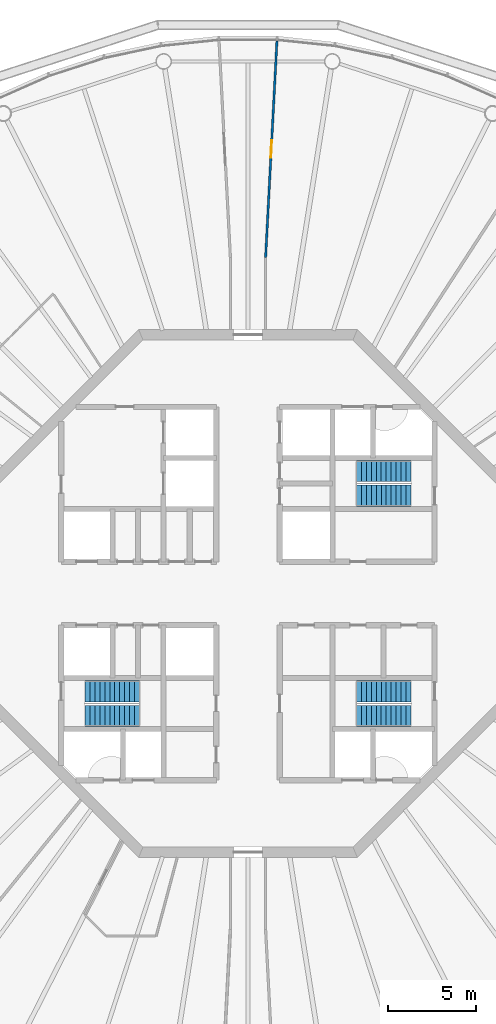
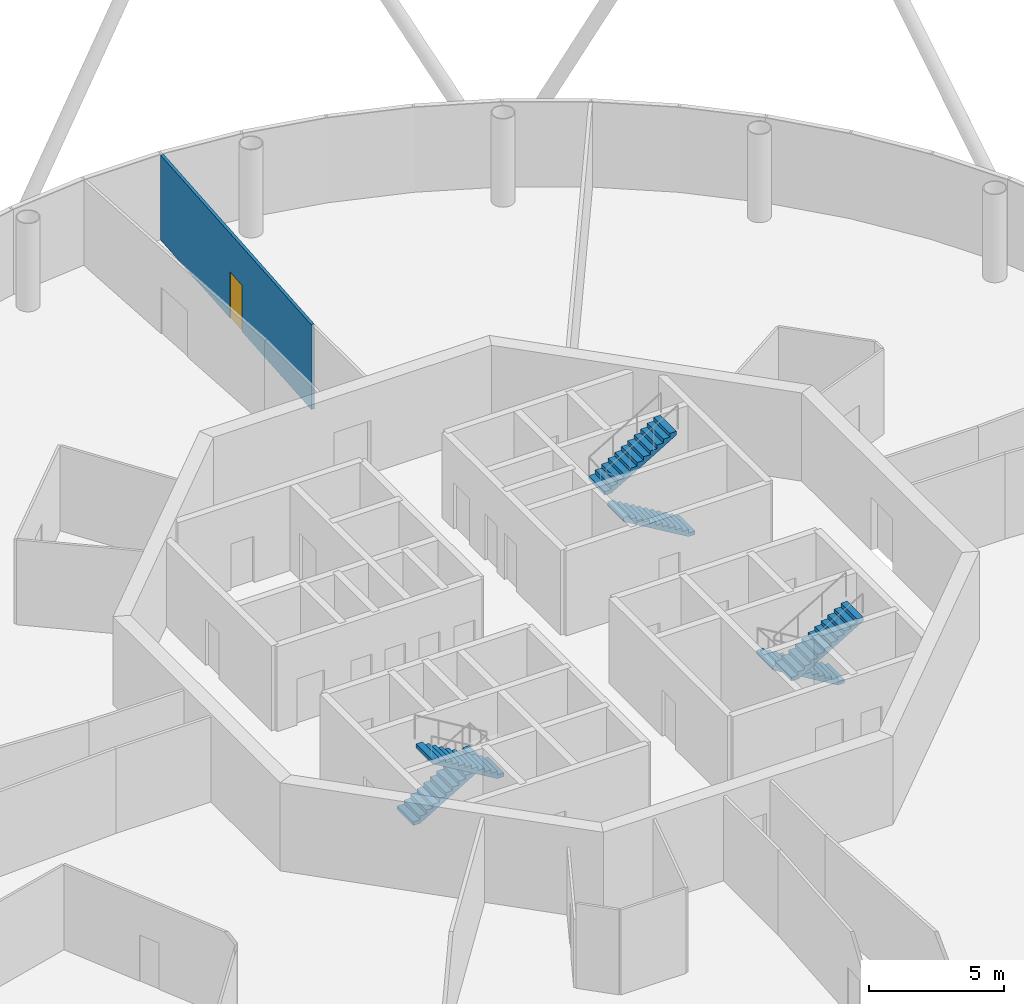
# One storey, part 6 of 13: 6 stair flights, 1 door, 1 wall, 1 opening, 3 elements without a shape of their own.
"""IFC4 building model written with IfcOpenShell, lengths in metres."""

from ifc_helpers import new_model, si_unit, direction, frame, frame_2d, origin, place, context, subcontext, project, spatial, polyline, rectangle, outline, extrude, material, layer, layer_set, type_object, element, fill, aggregate, save


model = new_model("IFC4")

# Units and contexts
model_context = context("Model", 3, precision=1e-05, world=origin(), true_north=direction((0.0, 1.0)))
body_context = subcontext(model_context, "Body", "Model", "MODEL_VIEW")
ifc_project = project(units=[si_unit("LENGTHUNIT", "METRE"), si_unit("AREAUNIT", "SQUARE_METRE"), si_unit("VOLUMEUNIT", "CUBIC_METRE"), si_unit("PLANEANGLEUNIT", "RADIAN"), si_unit("MASSUNIT", "GRAM", prefix="KILO")], contexts=[model_context])

# Site, building, storey
site_placement = place(None, origin())
site = spatial("IfcSite", under=ifc_project, at=site_placement, CompositionType="ELEMENT")
building_placement = place(site_placement, origin())
building = spatial("IfcBuilding", under=site, at=building_placement, Name="Entoto Ring Tower", CompositionType="ELEMENT")
storey_placement = place(building_placement, frame((0.0, 0.0, 372.0)))
storey = spatial("IfcBuildingStorey", under=building, at=storey_placement, Name="L86", CompositionType="ELEMENT", Elevation=372.0)

# Wall, opening, door
ifc_material_1 = material(Name="Fire-resisting plasterboard on steel studs", Category="steel")
ifc_layer = layer(ifc_material_1, 0.125)
ifc_layer_set = layer_set([ifc_layer], Name="Fire-resisting plasterboard on steel studs")
wall_type = type_object("IfcWallType", Name="Corridor wall 125 mm one-hour plasterboard on steel studs", PredefinedType="PARTITIONING", material=ifc_layer_set)
wall_placement = place(storey_placement, frame((91.0, 99.0810546875, 0.0), z_axis=(0.0, 0.0, 1.0), x_axis=(0.052340638328, 0.998629289366, 0.0)))
wall = element("IfcWall", 1, at=wall_placement, inside=storey, type_object=wall_type, Name="partition-L86-005", PredefinedType="PARTITIONING", context=body_context, shape_type="SweptSolid", body=[
    extrude(rectangle(XDim=12.332763671875, YDim=0.125, at=frame_2d((6.16650390625, 0.0))), origin(), (0.0, 0.0, 1.0), 3.85009765625),
])
opening_placement = place(wall_placement, frame((5.666259765625, 0.0, 0.0)))
opening = element("IfcOpeningElement", 2, at=opening_placement, cuts=wall, Name="Opening A37-D03", PredefinedType="OPENING", context=body_context, shape_type="SweptSolid", body=[
    extrude(rectangle(XDim=1.0, YDim=2.10009765625, at=frame_2d((0.5, 1.050048828125))), frame((0.0, 0.072509765625, 0.0), z_axis=(0.0, -1.0, 0.0), x_axis=(1.0, 0.0, 0.0)), (0.0, 0.0, 1.0), 0.14501953125),
])
ifc_material_2 = material(Name="Fire-resisting timber door set", Category="wood")
door_type = type_object("IfcDoorType", Name="Door 1000 x 2100 single leaf FD30S fire door", OperationType="NOTDEFINED", PredefinedType="DOOR", material=ifc_material_2)
door_placement = place(opening_placement, frame((1.0, 0.0, 0.0), z_axis=(0.0, 0.0, 1.0), x_axis=(-1.0, 0.0, 0.0)))
door = element("IfcDoor", 3, at=door_placement, inside=storey, type_object=door_type, Name="Door A37-D03", OperationType="SINGLE_SWING_LEFT", OverallHeight=2.10009765625, OverallWidth=1.0, PredefinedType="DOOR", context=body_context, shape_type="SweptSolid", body=[
    extrude(rectangle(XDim=1.0, YDim=2.10009765625, at=frame_2d((0.5, 1.050048828125))), frame((0.0, 0.02490234375, 0.0), z_axis=(0.0, -1.0, 0.0), x_axis=(1.0, 0.0, 0.0)), (0.0, 0.0, 1.0), 0.050048828125),
])
fill(opening, door)

# Stair, stair flights
ifc_material_3 = material(Name="Concrete C40/50", Category="concrete")
stair_type = type_object("IfcStairType", Name="Exit stair 1200 mm dog-leg reinforced concrete", PredefinedType="HALF_TURN_STAIR", material=ifc_material_3)
stair_1_placement = place(storey_placement, origin())
stair_1 = element("IfcStair", 4, at=stair_1_placement, inside=storey, type_object=stair_type, Name="Exit stair 1", PredefinedType="HALF_TURN_STAIR")
ifc_material_4 = material(Name="Concrete C40/50", Category="concrete")
stair_flight_type = type_object("IfcStairFlightType", Name="Stair flight 1200 mm reinforced concrete", PredefinedType="STRAIGHT", material=ifc_material_4)
stair_flight_1_placement = place(storey_placement, frame((99.25, 85.550048828125, 0.0), z_axis=(0.0, 0.0, 1.0), x_axis=(-1.0, 0.0, 0.0)))
stair_flight_1 = element("IfcStairFlight", 5, at=stair_flight_1_placement, type_object=stair_flight_type, Name="ST1 flight 1", NumberOfRisers=12, NumberOfTreads=11, PredefinedType="STRAIGHT", RiserHeight=0.166666667, TreadLength=0.28, context=body_context, shape_type="SweptSolid", body=[
    extrude(outline(polyline([(0.0, 0.0), (0.0, 0.166748046875), (0.280029296875, 0.166748046875), (0.280029296875, 0.333251953125), (0.56005859375, 0.333251953125), (0.56005859375, 0.5), (0.840087890625, 0.5), (0.840087890625, 0.666748046875), (1.1201171875, 0.666748046875), (1.1201171875, 0.833251953125), (1.39990234375, 0.833251953125), (1.39990234375, 1.0), (1.679931640625, 1.0), (1.679931640625, 1.166748046875), (1.9599609375, 1.166748046875), (1.9599609375, 1.333251953125), (2.239990234375, 1.333251953125), (2.239990234375, 1.5), (2.52001953125, 1.5), (2.52001953125, 1.666748046875), (2.800048828125, 1.666748046875), (2.800048828125, 1.833251953125), (3.080078125, 1.833251953125), (3.080078125, 2.0), (3.080078125, 1.658935546875), (0.29296875, 0.0), (0.0, 0.0)])), frame((0.0, 0.60009765625, 0.0), z_axis=(0.0, -1.0, 0.0), x_axis=(1.0, 0.0, 0.0)), (0.0, 0.0, 1.0), 1.199951171875),
])
stair_flight_2_placement = place(storey_placement, frame((96.169921875, 86.949951171875, 2.0), z_axis=(0.0, 0.0, 1.0), x_axis=(1.0, 0.0, 0.0)))
stair_flight_2 = element("IfcStairFlight", 6, at=stair_flight_2_placement, type_object=stair_flight_type, Name="ST1 flight 2", NumberOfRisers=12, NumberOfTreads=11, PredefinedType="STRAIGHT", RiserHeight=0.166666667, TreadLength=0.28, context=body_context, shape_type="SweptSolid", body=[
    extrude(outline(polyline([(0.0, 0.0), (0.0, 0.166748046875), (0.280029296875, 0.166748046875), (0.280029296875, 0.333251953125), (0.56005859375, 0.333251953125), (0.56005859375, 0.5), (0.840087890625, 0.5), (0.840087890625, 0.666748046875), (1.1201171875, 0.666748046875), (1.1201171875, 0.833251953125), (1.39990234375, 0.833251953125), (1.39990234375, 1.0), (1.679931640625, 1.0), (1.679931640625, 1.166748046875), (1.9599609375, 1.166748046875), (1.9599609375, 1.333251953125), (2.239990234375, 1.333251953125), (2.239990234375, 1.5), (2.52001953125, 1.5), (2.52001953125, 1.666748046875), (2.800048828125, 1.666748046875), (2.800048828125, 1.833251953125), (3.080078125, 1.833251953125), (3.080078125, 2.0), (3.080078125, 1.658935546875), (0.29296875, 0.0), (0.0, 0.0)])), frame((0.0, 0.60009765625, 0.0), z_axis=(0.0, -1.0, 0.0), x_axis=(1.0, 0.0, 0.0)), (0.0, 0.0, 1.0), 1.199951171875),
])
aggregate(stair_1, [stair_flight_1, stair_flight_2])

stair_2_placement = place(storey_placement, origin())
stair_2 = element("IfcStair", 7, at=stair_2_placement, inside=storey, type_object=stair_type, Name="Exit stair 2", PredefinedType="HALF_TURN_STAIR")
stair_flight_3_placement = place(storey_placement, frame((80.75, 74.449951171875, 0.0), z_axis=(0.0, 0.0, 1.0), x_axis=(1.0, 0.0, 0.0)))
stair_flight_3 = element("IfcStairFlight", 8, at=stair_flight_3_placement, type_object=stair_flight_type, Name="ST2 flight 1", NumberOfRisers=12, NumberOfTreads=11, PredefinedType="STRAIGHT", RiserHeight=0.166666667, TreadLength=0.28, context=body_context, shape_type="SweptSolid", body=[
    extrude(outline(polyline([(0.0, 0.0), (0.0, 0.166748046875), (0.280029296875, 0.166748046875), (0.280029296875, 0.333251953125), (0.56005859375, 0.333251953125), (0.56005859375, 0.5), (0.840087890625, 0.5), (0.840087890625, 0.666748046875), (1.1201171875, 0.666748046875), (1.1201171875, 0.833251953125), (1.39990234375, 0.833251953125), (1.39990234375, 1.0), (1.679931640625, 1.0), (1.679931640625, 1.166748046875), (1.9599609375, 1.166748046875), (1.9599609375, 1.333251953125), (2.239990234375, 1.333251953125), (2.239990234375, 1.5), (2.52001953125, 1.5), (2.52001953125, 1.666748046875), (2.800048828125, 1.666748046875), (2.800048828125, 1.833251953125), (3.080078125, 1.833251953125), (3.080078125, 2.0), (3.080078125, 1.658935546875), (0.29296875, 0.0), (0.0, 0.0)])), frame((0.0, 0.60009765625, 0.0), z_axis=(0.0, -1.0, 0.0), x_axis=(1.0, 0.0, 0.0)), (0.0, 0.0, 1.0), 1.199951171875),
])
stair_flight_4_placement = place(storey_placement, frame((83.830078125, 73.050048828125, 2.0), z_axis=(0.0, 0.0, 1.0), x_axis=(-1.0, 0.0, 0.0)))
stair_flight_4 = element("IfcStairFlight", 9, at=stair_flight_4_placement, type_object=stair_flight_type, Name="ST2 flight 2", NumberOfRisers=12, NumberOfTreads=11, PredefinedType="STRAIGHT", RiserHeight=0.166666667, TreadLength=0.28, context=body_context, shape_type="SweptSolid", body=[
    extrude(outline(polyline([(0.0, 0.0), (0.0, 0.166748046875), (0.280029296875, 0.166748046875), (0.280029296875, 0.333251953125), (0.56005859375, 0.333251953125), (0.56005859375, 0.5), (0.840087890625, 0.5), (0.840087890625, 0.666748046875), (1.1201171875, 0.666748046875), (1.1201171875, 0.833251953125), (1.39990234375, 0.833251953125), (1.39990234375, 1.0), (1.679931640625, 1.0), (1.679931640625, 1.166748046875), (1.9599609375, 1.166748046875), (1.9599609375, 1.333251953125), (2.239990234375, 1.333251953125), (2.239990234375, 1.5), (2.52001953125, 1.5), (2.52001953125, 1.666748046875), (2.800048828125, 1.666748046875), (2.800048828125, 1.833251953125), (3.080078125, 1.833251953125), (3.080078125, 2.0), (3.080078125, 1.658935546875), (0.29296875, 0.0), (0.0, 0.0)])), frame((0.0, 0.60009765625, 0.0), z_axis=(0.0, -1.0, 0.0), x_axis=(1.0, 0.0, 0.0)), (0.0, 0.0, 1.0), 1.199951171875),
])
aggregate(stair_2, [stair_flight_3, stair_flight_4])

stair_3_placement = place(storey_placement, origin())
stair_3 = element("IfcStair", 10, at=stair_3_placement, inside=storey, type_object=stair_type, Name="Exit stair 3", PredefinedType="HALF_TURN_STAIR")
stair_flight_5_placement = place(storey_placement, frame((99.25, 74.449951171875, 0.0), z_axis=(0.0, 0.0, 1.0), x_axis=(-1.0, 0.0, 0.0)))
stair_flight_5 = element("IfcStairFlight", 11, at=stair_flight_5_placement, type_object=stair_flight_type, Name="ST3 flight 1", NumberOfRisers=12, NumberOfTreads=11, PredefinedType="STRAIGHT", RiserHeight=0.166666667, TreadLength=0.28, context=body_context, shape_type="SweptSolid", body=[
    extrude(outline(polyline([(0.0, 0.0), (0.0, 0.166748046875), (0.280029296875, 0.166748046875), (0.280029296875, 0.333251953125), (0.56005859375, 0.333251953125), (0.56005859375, 0.5), (0.840087890625, 0.5), (0.840087890625, 0.666748046875), (1.1201171875, 0.666748046875), (1.1201171875, 0.833251953125), (1.39990234375, 0.833251953125), (1.39990234375, 1.0), (1.679931640625, 1.0), (1.679931640625, 1.166748046875), (1.9599609375, 1.166748046875), (1.9599609375, 1.333251953125), (2.239990234375, 1.333251953125), (2.239990234375, 1.5), (2.52001953125, 1.5), (2.52001953125, 1.666748046875), (2.800048828125, 1.666748046875), (2.800048828125, 1.833251953125), (3.080078125, 1.833251953125), (3.080078125, 2.0), (3.080078125, 1.658935546875), (0.29296875, 0.0), (0.0, 0.0)])), frame((0.0, 0.60009765625, 0.0), z_axis=(0.0, -1.0, 0.0), x_axis=(1.0, 0.0, 0.0)), (0.0, 0.0, 1.0), 1.199951171875),
])
stair_flight_6_placement = place(storey_placement, frame((96.169921875, 73.050048828125, 2.0), z_axis=(0.0, 0.0, 1.0), x_axis=(1.0, 0.0, 0.0)))
stair_flight_6 = element("IfcStairFlight", 12, at=stair_flight_6_placement, type_object=stair_flight_type, Name="ST3 flight 2", NumberOfRisers=12, NumberOfTreads=11, PredefinedType="STRAIGHT", RiserHeight=0.166666667, TreadLength=0.28, context=body_context, shape_type="SweptSolid", body=[
    extrude(outline(polyline([(0.0, 0.0), (0.0, 0.166748046875), (0.280029296875, 0.166748046875), (0.280029296875, 0.333251953125), (0.56005859375, 0.333251953125), (0.56005859375, 0.5), (0.840087890625, 0.5), (0.840087890625, 0.666748046875), (1.1201171875, 0.666748046875), (1.1201171875, 0.833251953125), (1.39990234375, 0.833251953125), (1.39990234375, 1.0), (1.679931640625, 1.0), (1.679931640625, 1.166748046875), (1.9599609375, 1.166748046875), (1.9599609375, 1.333251953125), (2.239990234375, 1.333251953125), (2.239990234375, 1.5), (2.52001953125, 1.5), (2.52001953125, 1.666748046875), (2.800048828125, 1.666748046875), (2.800048828125, 1.833251953125), (3.080078125, 1.833251953125), (3.080078125, 2.0), (3.080078125, 1.658935546875), (0.29296875, 0.0), (0.0, 0.0)])), frame((0.0, 0.60009765625, 0.0), z_axis=(0.0, -1.0, 0.0), x_axis=(1.0, 0.0, 0.0)), (0.0, 0.0, 1.0), 1.199951171875),
])
aggregate(stair_3, [stair_flight_5, stair_flight_6])

save(model, "model.ifc")
